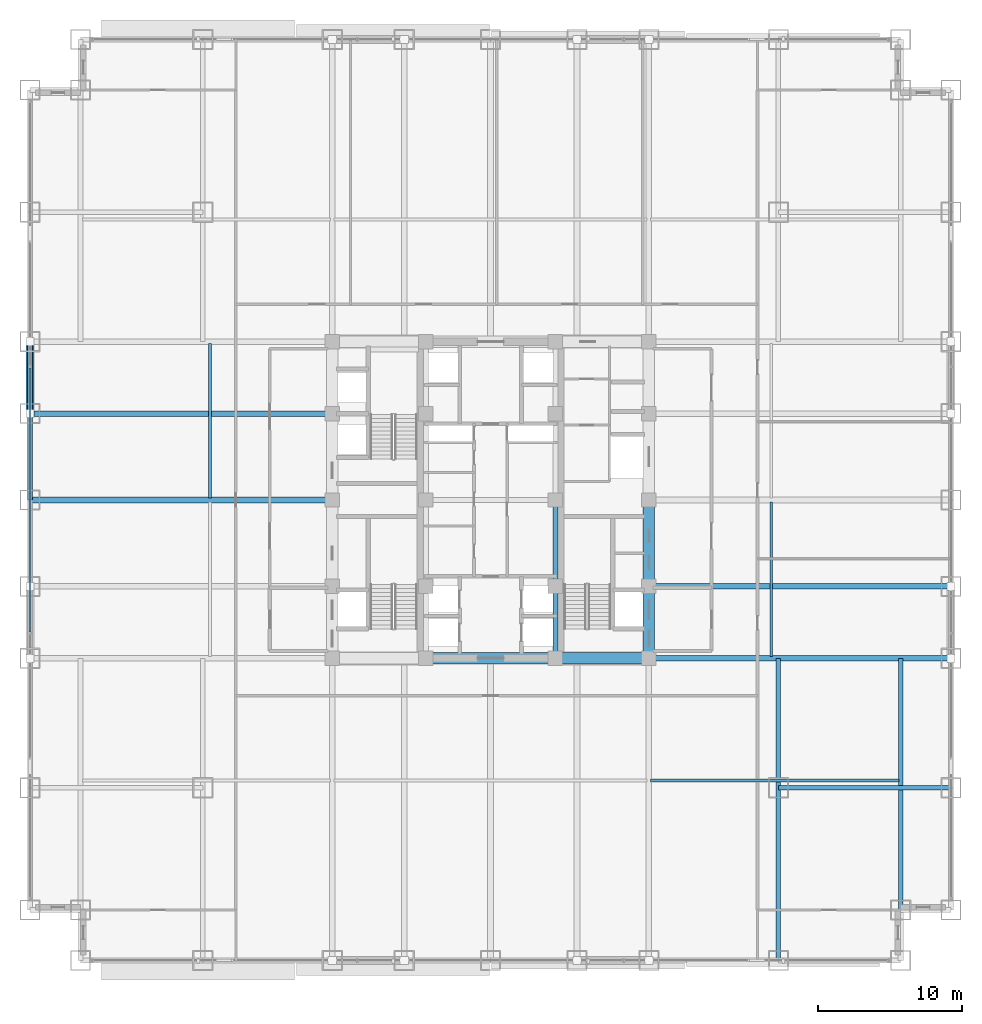
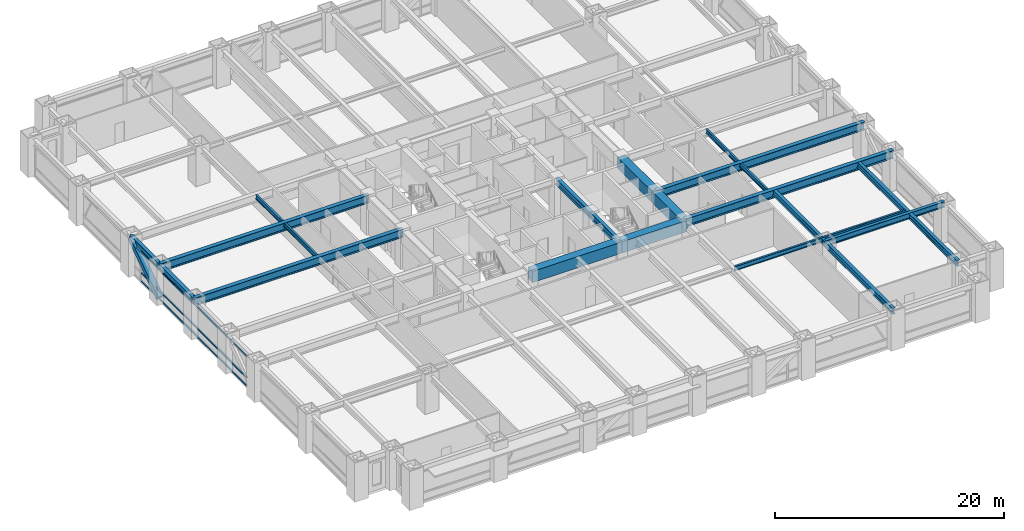
# One storey, part 11 of 31: 18 beams, 4 members, 1 element without a shape of its own.
"""IFC4 building model written with IfcOpenShell, lengths in metres."""

from ifc_helpers import new_model, si_unit, direction, frame, origin, origin_2d, place, context, subcontext, project, spatial, rectangle, hollow_rectangle, i_section, extrude, source, transform, mapped, material, material_profile, profile_set, type_object, element, aggregate, save


model = new_model("IFC4")

# Units and contexts
model_context = context("Model", 3, precision=1e-05, world=origin(), true_north=direction((0.0, 1.0)))
body_context = subcontext(model_context, "Body", "Model", "MODEL_VIEW")
ifc_project = project(units=[si_unit("LENGTHUNIT", "METRE"), si_unit("AREAUNIT", "SQUARE_METRE"), si_unit("VOLUMEUNIT", "CUBIC_METRE"), si_unit("PLANEANGLEUNIT", "RADIAN"), si_unit("MASSUNIT", "GRAM", prefix="KILO")], contexts=[model_context])

# Site, building, storey
site_placement = place(None, origin())
site = spatial("IfcSite", under=ifc_project, at=site_placement, CompositionType="ELEMENT")
building_placement = place(site_placement, origin())
building = spatial("IfcBuilding", under=site, at=building_placement, Name="Khorayat Bourse Tower", CompositionType="ELEMENT")
storey_placement = place(building_placement, frame((0.0, 0.0, 32.60009765625)))
storey = spatial("IfcBuildingStorey", under=building, at=storey_placement, Name="L06", CompositionType="ELEMENT", Elevation=32.60009765625)

# Beams
ifc_material_1 = material(Name="Concrete C72/90", Category="concrete")
ifc_material_profile_1 = material_profile(ifc_material_1, rectangle(XDim=0.800048828125, YDim=1.199951171875, at=origin_2d()), Name="RC 800x1200")
ifc_profile_set_1 = profile_set([ifc_material_profile_1], Name="Concrete C72/90")
beam_type_1 = type_object("IfcBeamType", Name="BM-COUP-1200", PredefinedType="BEAM", material=ifc_profile_set_1)
shared_shape_1 = source(origin(), body_context, "Body", "SweptSolid", [
    extrude(rectangle(XDim=0.800048828125, YDim=1.199951171875, at=origin_2d()), origin(), (0.0, 0.0, 1.0), 5.0),
])
beam_1_placement = place(storey_placement, frame((11.0, -11.0, 3.33984375), z_axis=(0.0, 1.0, 0.0), x_axis=(-1.0, 0.0, 0.0)))
element("IfcBeam", 1, at=beam_1_placement, inside=storey, type_object=beam_type_1, Name="L06 BM-COUP-1200 BM-L06-CRX-13", PredefinedType="BEAM", context=body_context, shape_type="MappedRepresentation", body=[
    mapped(shared_shape_1, transform((0.0, 0.0, 0.0), scale=1.0)),
])
shared_shape_2 = source(origin(), body_context, "Body", "SweptSolid", [
    extrude(rectangle(XDim=0.800048828125, YDim=1.199951171875, at=origin_2d()), origin(), (0.0, 0.0, 1.0), 6.0),
])
beam_2_placement = place(storey_placement, frame((11.0, -6.0, 3.33984375), z_axis=(0.0, 1.0, 0.0), x_axis=(-1.0, 0.0, 0.0)))
element("IfcBeam", 2, at=beam_2_placement, inside=storey, type_object=beam_type_1, Name="L06 BM-COUP-1200 BM-L06-CRX-14", PredefinedType="BEAM", context=body_context, shape_type="MappedRepresentation", body=[
    mapped(shared_shape_2, transform((0.0, 0.0, 0.0), scale=1.0)),
])
ifc_material_2 = material(Name="Steel ASTM A992 Grade 50", Category="steel")
ifc_material_profile_2 = material_profile(ifc_material_2, i_section(OverallWidth=0.35498046875, OverallDepth=0.695068359375, WebThickness=0.015380859375, FlangeThickness=0.02490234375, FilletRadius=0.01806640625, at=origin_2d()), Name="W690X217")
ifc_profile_set_2 = profile_set([ifc_material_profile_2], Name="Steel ASTM A992 Grade 50")
beam_type_2 = type_object("IfcBeamType", Name="BM-GIRD-690", PredefinedType="BEAM", material=ifc_profile_set_2)
shared_shape_3 = source(origin(), body_context, "Body", "SweptSolid", [
    extrude(i_section(OverallWidth=0.35498046875, OverallDepth=0.695068359375, WebThickness=0.015380859375, FlangeThickness=0.02490234375, FilletRadius=0.01806640625, at=origin_2d()), origin(), (0.0, 0.0, 1.0), 5.0),
])
beam_3_placement = place(storey_placement, frame((4.5, -11.0, 3.59228515625), z_axis=(0.0, 1.0, 0.0), x_axis=(-1.0, 0.0, 0.0)))
element("IfcBeam", 3, at=beam_3_placement, inside=storey, type_object=beam_type_2, Name="L06 BM-GIRD-690 BM-L06-CRX-09", PredefinedType="BEAM", context=body_context, shape_type="MappedRepresentation", body=[
    mapped(shared_shape_3, transform((0.0, 0.0, 0.0), scale=1.0)),
])
shared_shape_4 = source(origin(), body_context, "Body", "SweptSolid", [
    extrude(i_section(OverallWidth=0.35498046875, OverallDepth=0.695068359375, WebThickness=0.015380859375, FlangeThickness=0.02490234375, FilletRadius=0.01806640625, at=origin_2d()), origin(), (0.0, 0.0, 1.0), 6.0),
])
beam_4_placement = place(storey_placement, frame((4.5, -6.0, 3.59228515625), z_axis=(0.0, 1.0, 0.0), x_axis=(-1.0, 0.0, 0.0)))
element("IfcBeam", 4, at=beam_4_placement, inside=storey, type_object=beam_type_2, Name="L06 BM-GIRD-690 BM-L06-CRX-10", PredefinedType="BEAM", context=body_context, shape_type="MappedRepresentation", body=[
    mapped(shared_shape_4, transform((0.0, 0.0, 0.0), scale=1.0)),
])
shared_shape_5 = source(origin(), body_context, "Body", "SweptSolid", [
    extrude(rectangle(XDim=0.800048828125, YDim=1.199951171875, at=origin_2d()), origin(), (0.0, 0.0, 1.0), 6.5),
])
beam_5_placement = place(storey_placement, frame((4.5, -11.0, 3.33984375), z_axis=(1.0, 0.0, 0.0), x_axis=(0.0, 1.0, 0.0)))
element("IfcBeam", 5, at=beam_5_placement, inside=storey, type_object=beam_type_1, Name="L06 BM-COUP-1200 BM-L06-CRY-19", PredefinedType="BEAM", context=body_context, shape_type="MappedRepresentation", body=[
    mapped(shared_shape_5, transform((0.0, 0.0, 0.0), scale=1.0)),
])
shared_shape_6 = source(origin(), body_context, "Body", "SweptSolid", [
    extrude(rectangle(XDim=0.800048828125, YDim=1.199951171875, at=origin_2d()), origin(), (0.0, 0.0, 1.0), 9.0),
])
beam_6_placement = place(storey_placement, frame((-4.5, -11.0, 3.33984375), z_axis=(1.0, 0.0, 0.0), x_axis=(0.0, 1.0, 0.0)))
element("IfcBeam", 6, at=beam_6_placement, inside=storey, type_object=beam_type_1, Name="L06 BM-COUP-1200 BM-L06-CRY-18", PredefinedType="BEAM", context=body_context, shape_type="MappedRepresentation", body=[
    mapped(shared_shape_6, transform((0.0, 0.0, 0.0), scale=1.0)),
])
ifc_material_profile_3 = material_profile(ifc_material_2, i_section(OverallWidth=0.35498046875, OverallDepth=0.695068359375, WebThickness=0.015380859375, FlangeThickness=0.02490234375, FilletRadius=0.01806640625, at=origin_2d()), Name="W690X217")
ifc_profile_set_3 = profile_set([ifc_material_profile_3], Name="Steel ASTM A992 Grade 50")
beam_type_3 = type_object("IfcBeamType", Name="BM-SPAN-690", PredefinedType="SPANDREL", material=ifc_profile_set_3)
shared_shape_7 = source(origin(), body_context, "Body", "SweptSolid", [
    extrude(i_section(OverallWidth=0.35498046875, OverallDepth=0.695068359375, WebThickness=0.015380859375, FlangeThickness=0.02490234375, FilletRadius=0.01806640625, at=origin_2d()), origin(), (0.0, 0.0, 1.0), 5.0),
])
beam_7_placement = place(storey_placement, frame((-32.0, 6.0, 3.59228515625), z_axis=(0.0, 1.0, 0.0), x_axis=(-1.0, 0.0, 0.0)))
element("IfcBeam", 7, at=beam_7_placement, inside=storey, type_object=beam_type_3, Name="L06 BM-SPAN-690 BM-L06-SPN-056", PredefinedType="SPANDREL", context=body_context, shape_type="MappedRepresentation", body=[
    mapped(shared_shape_7, transform((0.0, 0.0, 0.0), scale=1.0)),
])
shared_shape_8 = source(origin(), body_context, "Body", "SweptSolid", [
    extrude(i_section(OverallWidth=0.35498046875, OverallDepth=0.695068359375, WebThickness=0.015380859375, FlangeThickness=0.02490234375, FilletRadius=0.01806640625, at=origin_2d()), origin(), (0.0, 0.0, 1.0), 6.0),
])
beam_8_placement = place(storey_placement, frame((-32.0, 0.0, 3.59228515625), z_axis=(0.0, 1.0, 0.0), x_axis=(-1.0, 0.0, 0.0)))
element("IfcBeam", 8, at=beam_8_placement, inside=storey, type_object=beam_type_3, Name="L06 BM-SPAN-690 BM-L06-SPN-057", PredefinedType="SPANDREL", context=body_context, shape_type="MappedRepresentation", body=[
    mapped(shared_shape_8, transform((0.0, 0.0, 0.0), scale=1.0)),
])
ifc_material_profile_4 = material_profile(ifc_material_2, i_section(OverallWidth=0.39990234375, OverallDepth=0.85498046875, WebThickness=0.018310546875, FlangeThickness=0.029296875, FilletRadius=0.02001953125, at=origin_2d()), Name="W840X299")
ifc_profile_set_4 = profile_set([ifc_material_profile_4], Name="Steel ASTM A992 Grade 50")
beam_type_4 = type_object("IfcBeamType", Name="BM-GIRD-840", PredefinedType="BEAM", material=ifc_profile_set_4)
shared_shape_9 = source(origin(), body_context, "Body", "SweptSolid", [
    extrude(i_section(OverallWidth=0.39990234375, OverallDepth=0.85498046875, WebThickness=0.018310546875, FlangeThickness=0.029296875, FilletRadius=0.02001953125, at=origin_2d()), origin(), (0.0, 0.0, 1.0), 21.0),
])
for number, where, z_axis, x_axis, name in (
    (9, (11.0, -11.0, 3.512451171875), (1.0, 0.0, 0.0), (0.0, 1.0, 0.0), "L06 BM-GIRD-840 BM-L06-RADX-074"),
    (10, (11.0, -6.0, 3.512451171875), (1.0, 0.0, 0.0), (0.0, 1.0, 0.0), "L06 BM-GIRD-840 BM-L06-RADX-076"),
    (11, (-32.0, 0.0, 3.512451171875), (1.0, 0.0, 0.0), (0.0, 1.0, 0.0), "L06 BM-GIRD-840 BM-L06-RADX-079"),
    (12, (-32.0, 6.0, 3.512451171875), (1.0, 0.0, 0.0), (0.0, 1.0, 0.0), "L06 BM-GIRD-840 BM-L06-RADX-081"),
):
    element("IfcBeam", number, at=place(storey_placement, frame(where, z_axis=z_axis, x_axis=x_axis)), inside=storey, type_object=beam_type_4, Name=name, PredefinedType="BEAM", context=body_context, shape_type="MappedRepresentation", body=[
        mapped(shared_shape_9, transform((0.0, 0.0, 0.0), scale=1.0)),
    ])
ifc_material_profile_5 = material_profile(ifc_material_2, i_section(OverallWidth=0.324951171875, OverallDepth=0.615966796875, WebThickness=0.013916015625, FlangeThickness=0.021484375, FilletRadius=0.01611328125, at=origin_2d()), Name="W610X174")
ifc_profile_set_5 = profile_set([ifc_material_profile_5], Name="Steel ASTM A992 Grade 50")
beam_type_5 = type_object("IfcBeamType", Name="BM-GIRD-610", PredefinedType="BEAM", material=ifc_profile_set_5)
shared_shape_10 = source(origin(), body_context, "Body", "SweptSolid", [
    extrude(i_section(OverallWidth=0.324951171875, OverallDepth=0.615966796875, WebThickness=0.013916015625, FlangeThickness=0.021484375, FilletRadius=0.01611328125, at=origin_2d()), origin(), (0.0, 0.0, 1.0), 21.0),
])
beam_9_placement = place(storey_placement, frame((20.0, -32.0, 3.6318359375), z_axis=(0.0, 1.0, 0.0), x_axis=(-1.0, 0.0, 0.0)))
element("IfcBeam", 13, at=beam_9_placement, inside=storey, type_object=beam_type_5, Name="L06 BM-GIRD-610 BM-L06-CNRY-086", PredefinedType="BEAM", context=body_context, shape_type="MappedRepresentation", body=[
    mapped(shared_shape_10, transform((0.0, 0.0, 0.0), scale=1.0)),
])
shared_shape_11 = source(origin(), body_context, "Body", "SweptSolid", [
    extrude(i_section(OverallWidth=0.324951171875, OverallDepth=0.615966796875, WebThickness=0.013916015625, FlangeThickness=0.021484375, FilletRadius=0.01611328125, at=origin_2d()), origin(), (0.0, 0.0, 1.0), 17.5),
])
beam_10_placement = place(storey_placement, frame((28.5, -28.5, 3.6318359375), z_axis=(0.0, 1.0, 0.0), x_axis=(-1.0, 0.0, 0.0)))
element("IfcBeam", 14, at=beam_10_placement, inside=storey, type_object=beam_type_5, Name="L06 BM-GIRD-610 BM-L06-CNRY-090", PredefinedType="BEAM", context=body_context, shape_type="MappedRepresentation", body=[
    mapped(shared_shape_11, transform((0.0, 0.0, 0.0), scale=1.0)),
])
shared_shape_12 = source(origin(), body_context, "Body", "SweptSolid", [
    extrude(i_section(OverallWidth=0.324951171875, OverallDepth=0.615966796875, WebThickness=0.013916015625, FlangeThickness=0.021484375, FilletRadius=0.01611328125, at=origin_2d()), origin(), (0.0, 0.0, 1.0), 12.0),
])
beam_11_placement = place(storey_placement, frame((20.0, -20.0, 3.6318359375), z_axis=(1.0, 0.0, 0.0), x_axis=(0.0, 1.0, 0.0)))
element("IfcBeam", 15, at=beam_11_placement, inside=storey, type_object=beam_type_5, Name="L06 BM-GIRD-610 BM-L06-CNRX-092", PredefinedType="BEAM", context=body_context, shape_type="MappedRepresentation", body=[
    mapped(shared_shape_12, transform((0.0, 0.0, 0.0), scale=1.0)),
])
ifc_material_profile_6 = material_profile(ifc_material_2, i_section(OverallWidth=0.194091796875, OverallDepth=0.468994140625, WebThickness=0.0126953125, FlangeThickness=0.0205078125, FilletRadius=0.012939453125, at=origin_2d()), Name="W460X106")
ifc_profile_set_6 = profile_set([ifc_material_profile_6], Name="Steel ASTM A992 Grade 50")
beam_type_6 = type_object("IfcBeamType", Name="BM-JOIST-460", PredefinedType="JOIST", material=ifc_profile_set_6)
shared_shape_13 = source(origin(), body_context, "Body", "SweptSolid", [
    extrude(i_section(OverallWidth=0.194091796875, OverallDepth=0.468994140625, WebThickness=0.0126953125, FlangeThickness=0.0205078125, FilletRadius=0.012939453125, at=origin_2d()), origin(), (0.0, 0.0, 1.0), 17.240234375),
])
beam_12_placement = place(storey_placement, frame((11.1298828125, -19.5, 3.705322265625), z_axis=(1.0, 0.0, 0.0), x_axis=(0.0, 1.0, 0.0)))
element("IfcBeam", 16, at=beam_12_placement, inside=storey, type_object=beam_type_6, Name="L06 BM-JOIST-460 BM-L06-JSTX-098", PredefinedType="JOIST", context=body_context, shape_type="MappedRepresentation", body=[
    mapped(shared_shape_13, transform((0.0, 0.0, 0.0), scale=1.0)),
])
shared_shape_14 = source(origin(), body_context, "Body", "SweptSolid", [
    extrude(i_section(OverallWidth=0.194091796875, OverallDepth=0.468994140625, WebThickness=0.0126953125, FlangeThickness=0.0205078125, FilletRadius=0.012939453125, at=origin_2d()), origin(), (0.0, 0.0, 1.0), 10.740234375),
])
for number, where, z_axis, x_axis, name in (
    (17, (-19.5, 0.1298828125, 3.705322265625), (0.0, 1.0, 0.0), (-1.0, 0.0, 0.0), "L06 BM-JOIST-460 BM-L06-JSTY-103"),
    (18, (19.5, -10.8701171875, 3.705322265625), (0.0, 1.0, 0.0), (-1.0, 0.0, 0.0), "L06 BM-JOIST-460 BM-L06-JSTY-104"),
):
    element("IfcBeam", number, at=place(storey_placement, frame(where, z_axis=z_axis, x_axis=x_axis)), inside=storey, type_object=beam_type_6, Name=name, PredefinedType="JOIST", context=body_context, shape_type="MappedRepresentation", body=[
        mapped(shared_shape_14, transform((0.0, 0.0, 0.0), scale=1.0)),
    ])

# Member
ifc_material_3 = material(Name="Steel EN 10025-4 S460M", Category="steel")
ifc_material_profile_7 = material_profile(ifc_material_3, hollow_rectangle(XDim=0.550048828125, YDim=0.550048828125, WallThickness=0.031982421875, at=origin_2d()), Name="HSS 550x550x32")
ifc_profile_set_7 = profile_set([ifc_material_profile_7], Name="Steel EN 10025-4 S460M")
member_type_1 = type_object("IfcMemberType", Name="MBR-TUBE-550", PredefinedType="BRACE", material=ifc_profile_set_7)
shared_shape_15 = source(origin(), body_context, "Body", "SweptSolid", [
    extrude(hollow_rectangle(XDim=0.550048828125, YDim=0.550048828125, WallThickness=0.031982421875, at=origin_2d()), origin(), (0.0, 0.0, 1.0), 6.069091796875),
])
member_1_placement = place(storey_placement, frame((-32.0, 6.0, 0.25), z_axis=(0.0, 0.823854080622, 0.566801952928), x_axis=(-1.0, 0.0, 0.0)))
element("IfcMember", 19, at=member_1_placement, inside=storey, type_object=member_type_1, Name="L06 Perimeter Tube Brace 06", PredefinedType="BRACE", context=body_context, shape_type="MappedRepresentation", body=[
    mapped(shared_shape_15, transform((0.0, 0.0, 0.0), scale=1.0)),
])

# Curtain wall, members
ifc_material_4 = material(Name="Aluminium EN AW-6063 T6", Category="aluminium")
curtain_wall_type = type_object("IfcCurtainWallType", Name="CW-SYS-02", PredefinedType="NOTDEFINED", material=ifc_material_4)
curtain_wall_placement = place(storey_placement, origin())
curtain_wall = element("IfcCurtainWall", 20, at=curtain_wall_placement, inside=storey, type_object=curtain_wall_type, Name="L06 Curtain Wall CW-L06-W1", PredefinedType="NOTDEFINED")
ifc_material_profile_8 = material_profile(ifc_material_4, hollow_rectangle(XDim=0.139892578125, YDim=0.139892578125, WallThickness=0.006103515625, at=origin_2d()), Name="ALU 140x140x6")
ifc_profile_set_8 = profile_set([ifc_material_profile_8], Name="Aluminium EN AW-6063 T6")
member_type_2 = type_object("IfcMemberType", Name="CWT-HORZ-140", PredefinedType="USERDEFINED", material=ifc_profile_set_8)
shared_shape_16 = source(origin(), body_context, "Body", "SweptSolid", [
    extrude(hollow_rectangle(XDim=0.139892578125, YDim=0.139892578125, WallThickness=0.006103515625, at=origin_2d()), origin(), (0.0, 0.0, 1.0), 18.35986328125),
])
member_2_placement = place(storey_placement, frame((-32.0, -9.179931640625, 0.06982421875), z_axis=(0.0, 1.0, 0.0), x_axis=(-1.0, 0.0, 0.0)))
member_2 = element("IfcMember", 21, at=member_2_placement, type_object=member_type_2, Name="CW-L06-W1 Horizontal Transom 2-1", ObjectType="TRANSOM", PredefinedType="USERDEFINED", context=body_context, shape_type="MappedRepresentation", body=[
    mapped(shared_shape_16, transform((0.0, 0.0, 0.0), scale=1.0)),
])
member_3_placement = place(storey_placement, frame((-32.0, -9.179931640625, 0.949951171875), z_axis=(0.0, 1.0, 0.0), x_axis=(-1.0, 0.0, 0.0)))
member_3 = element("IfcMember", 22, at=member_3_placement, type_object=member_type_2, Name="CW-L06-W1 Horizontal Transom 2-2", ObjectType="TRANSOM", PredefinedType="USERDEFINED", context=body_context, shape_type="MappedRepresentation", body=[
    mapped(shared_shape_16, transform((0.0, 0.0, 0.0), scale=1.0)),
])
member_4_placement = place(storey_placement, frame((-32.0, -9.179931640625, 3.219970703125), z_axis=(0.0, 1.0, 0.0), x_axis=(-1.0, 0.0, 0.0)))
member_4 = element("IfcMember", 23, at=member_4_placement, type_object=member_type_2, Name="CW-L06-W1 Horizontal Transom 2-3", ObjectType="TRANSOM", PredefinedType="USERDEFINED", context=body_context, shape_type="MappedRepresentation", body=[
    mapped(shared_shape_16, transform((0.0, 0.0, 0.0), scale=1.0)),
])
aggregate(curtain_wall, [member_2, member_3, member_4])

save(model, "model.ifc")
